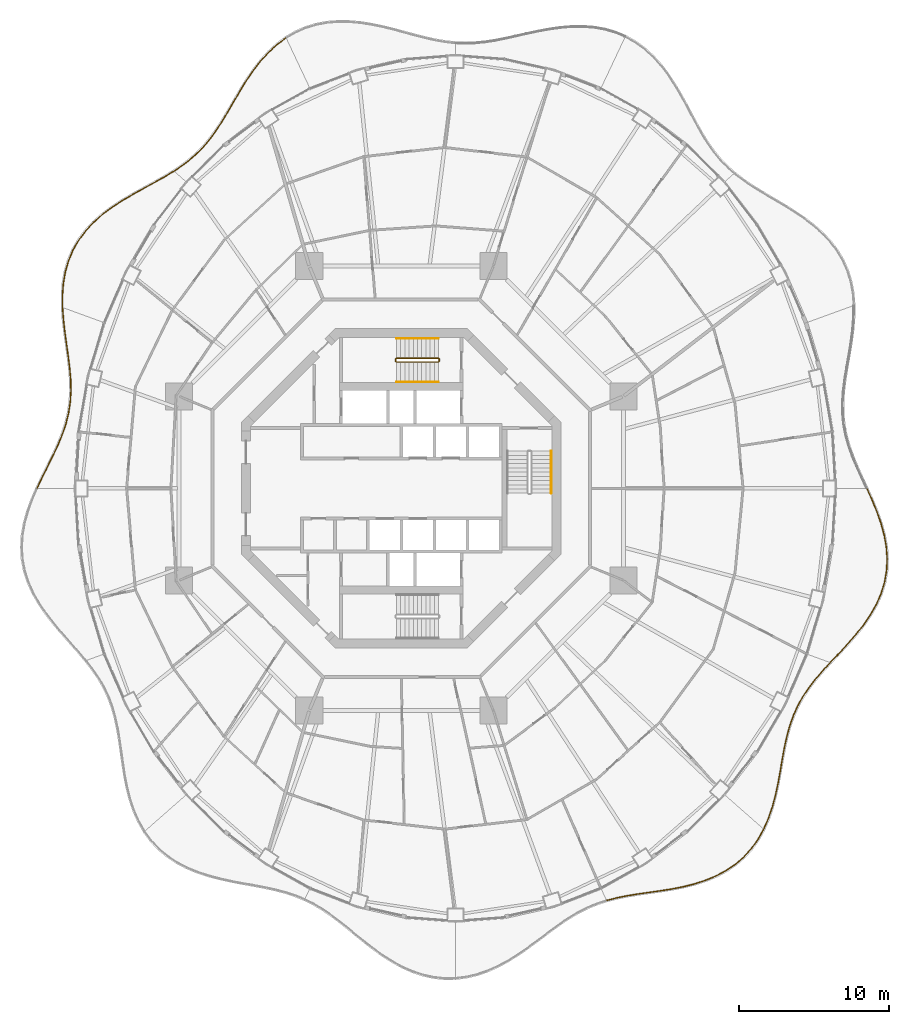
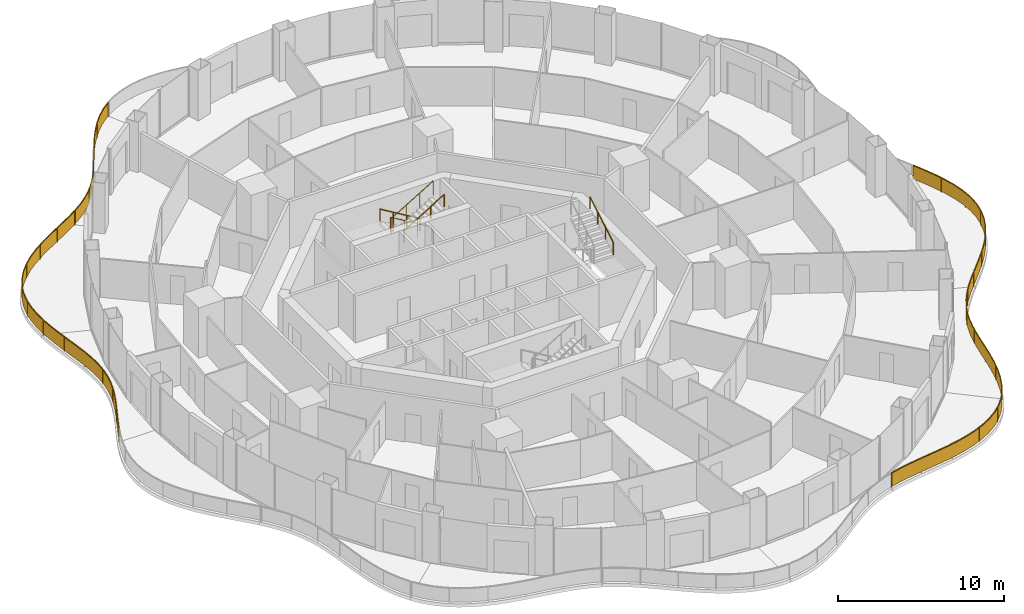
# One storey, part 18 of 19: 10 railings.
"""IFC4 building model written with IfcOpenShell, lengths in metres."""

from ifc_helpers import new_model, si_unit, direction, frame, origin, origin_2d, place, context, subcontext, project, spatial, polyline, rectangle, circle, outline, extrude, material, type_object, element, save


model = new_model("IFC4")

# Units and contexts
model_context = context("Model", 3, precision=1e-05, world=origin(), true_north=direction((0.0, 1.0)))
body_context = subcontext(model_context, "Body", "Model", "MODEL_VIEW")
ifc_project = project(units=[si_unit("LENGTHUNIT", "METRE"), si_unit("AREAUNIT", "SQUARE_METRE"), si_unit("VOLUMEUNIT", "CUBIC_METRE"), si_unit("PLANEANGLEUNIT", "RADIAN"), si_unit("MASSUNIT", "GRAM", prefix="KILO")], contexts=[model_context])

# Site, building, storey
site_placement = place(None, origin())
site = spatial("IfcSite", under=ifc_project, at=site_placement, CompositionType="ELEMENT")
building_placement = place(site_placement, origin())
building = spatial("IfcBuilding", under=site, at=building_placement, Name="Nagisa Residences", CompositionType="ELEMENT")
storey_placement = place(building_placement, frame((0.0, 0.0, 199.199951171875)))
storey = spatial("IfcBuildingStorey", under=building, at=storey_placement, Name="L50", CompositionType="ELEMENT", Elevation=199.199951171875)

# Railings
ifc_material_1 = material(Name="Stainless steel 316", Category="steel")
railing_type_1 = type_object("IfcRailingType", Name="BALCONY GUARD 1100", PredefinedType="BALUSTRADE", material=ifc_material_1)
railing_1_placement = place(storey_placement, frame((-7.69482421875, 29.948974609375, 0.0)))
element("IfcRailing", 1, at=railing_1_placement, inside=storey, type_object=railing_type_1, Name="guard:L50:bal05-0", PredefinedType="BALUSTRADE", context=body_context, shape_type="SweptSolid", body=[
    extrude(outline(polyline([(-0.559326171875, -0.4482421875), (0.014892578125, -0.02001953125), (-0.014892578125, 0.02001953125), (-0.591064453125, -0.40966796875), (-1.162109375, -0.93359375), (-1.688232421875, -1.5126953125), (-2.171875, -2.13427734375), (-2.618408203125, -2.78466796875), (-3.020263671875, -3.44091796875), (-3.413330078125, -4.107421875), (-3.7939453125, -4.762939453125), (-4.171875, -5.396728515625), (-4.557373046875, -6.00048828125), (-4.947998046875, -6.557373046875), (-5.3759765625, -7.085205078125), (-5.836669921875, -7.573486328125), (-6.334228515625, -8.0234375), (-6.87109375, -8.4404296875), (-7.411376953125, -8.8056640625), (-7.383544921875, -8.84716796875), (-6.841796875, -8.48095703125), (-6.302001953125, -8.06201171875), (-5.801513671875, -7.609130859375), (-5.33837890625, -7.118408203125), (-4.907958984375, -6.587646484375), (-4.515869140625, -6.0283203125), (-4.12939453125, -5.423095703125), (-3.7509765625, -4.788330078125), (-3.370361328125, -4.1328125), (-2.977294921875, -3.466796875), (-2.576416015625, -2.81201171875), (-2.13134765625, -2.1640625), (-1.649658203125, -1.544921875), (-1.12646484375, -0.96875), (-0.559326171875, -0.4482421875)])), frame((0.0, 0.0, 1.050048828125)), (0.0, 0.0, 1.0), 0.050048828125),
    extrude(outline(polyline([(-0.57080078125, -0.434326171875), (0.004150390625, -0.005615234375), (-0.004150390625, 0.005615234375), (-0.57958984375, -0.423583984375), (-1.149169921875, -0.9462890625), (-1.67431640625, -1.5244140625), (-2.1572265625, -2.14501953125), (-2.603271484375, -2.79443359375), (-3.0048828125, -3.4501953125), (-3.39794921875, -4.11669921875), (-3.778564453125, -4.77197265625), (-4.156494140625, -5.40625), (-4.54248046875, -6.010498046875), (-4.93359375, -6.568359375), (-5.362548828125, -7.09716796875), (-5.823974609375, -7.586181640625), (-6.322509765625, -8.037353515625), (-6.860595703125, -8.455078125), (-7.4013671875, -8.820556640625), (-7.3935546875, -8.832275390625), (-6.852294921875, -8.46630859375), (-6.313720703125, -8.048095703125), (-5.814208984375, -7.596435546875), (-5.351806640625, -7.1064453125), (-4.92236328125, -6.57666015625), (-4.53076171875, -6.018310546875), (-4.144775390625, -5.41357421875), (-3.766357421875, -4.779296875), (-3.3857421875, -4.12353515625), (-2.99267578125, -3.45751953125), (-2.591552734375, -2.80224609375), (-2.14599609375, -2.1533203125), (-1.66357421875, -1.533203125), (-1.139404296875, -0.9560546875), (-0.57080078125, -0.434326171875)])), frame((0.0, 0.0, 0.06005859375)), (0.0, 0.0, 1.0), 0.989990234375),
    extrude(rectangle(XDim=0.0400390625, YDim=0.0400390625, at=origin_2d()), origin(), (0.0, 0.0, 1.0), 1.050048828125),
    extrude(rectangle(XDim=0.0400390625, YDim=0.0400390625, at=origin_2d()), frame((-1.704833984375, -1.574951171875, 0.0)), (0.0, 0.0, 1.0), 1.050048828125),
    extrude(rectangle(XDim=0.0400390625, YDim=0.0400390625, at=origin_2d()), frame((-3.021484375, -3.492431640625, 0.0)), (0.0, 0.0, 1.0), 1.050048828125),
    extrude(rectangle(XDim=0.0400390625, YDim=0.0400390625, at=origin_2d()), frame((-4.206298828125, -5.4970703125, 0.0)), (0.0, 0.0, 1.0), 1.050048828125),
    extrude(rectangle(XDim=0.0400390625, YDim=0.0400390625, at=origin_2d()), frame((-5.5986328125, -7.357666015625, 0.0)), (0.0, 0.0, 1.0), 1.050048828125),
    extrude(rectangle(XDim=0.0400390625, YDim=0.0400390625, at=origin_2d()), frame((-7.3974609375, -8.826416015625, 0.0)), (0.0, 0.0, 1.0), 1.050048828125),
])
railing_2_placement = place(storey_placement, frame((-15.154541015625, 21.08544921875, 0.0)))
element("IfcRailing", 2, at=railing_2_placement, inside=storey, type_object=railing_type_1, Name="guard:L50:bal06-0", PredefinedType="BALUSTRADE", context=body_context, shape_type="SweptSolid", body=[
    extrude(outline(polyline([(-0.59375, -0.387939453125), (0.012939453125, -0.021484375), (-0.012939453125, 0.021484375), (-0.619140625, -0.344482421875), (-1.2939453125, -0.723388671875), (-1.99072265625, -1.103515625), (-2.69775390625, -1.49609375), (-3.400634765625, -1.9111328125), (-4.075927734375, -2.345703125), (-4.725341796875, -2.83203125), (-5.32568359375, -3.362548828125), (-5.864013671875, -3.940673828125), (-6.32958984375, -4.566650390625), (-6.7080078125, -5.224609375), (-7.00830078125, -5.93701171875), (-7.223388671875, -6.684814453125), (-7.35693359375, -7.46044921875), (-7.41552734375, -8.255859375), (-7.408203125, -9.0166015625), (-7.3583984375, -9.01611328125), (-7.365234375, -8.25732421875), (-7.30712890625, -7.46630859375), (-7.174560546875, -6.696044921875), (-6.9609375, -5.95361328125), (-6.6630859375, -5.2470703125), (-6.28759765625, -4.593994140625), (-5.825439453125, -3.972900390625), (-5.29052734375, -3.398681640625), (-4.693603515625, -2.87109375), (-4.047119140625, -2.38671875), (-3.374267578125, -1.95361328125), (-2.6728515625, -1.53955078125), (-1.966796875, -1.1474609375), (-1.26953125, -0.767333984375), (-0.59375, -0.387939453125)])), frame((0.0, 0.0, 1.050048828125)), (0.0, 0.0, 1.0), 0.050048828125),
    extrude(outline(polyline([(-0.60302734375, -0.372314453125), (0.003662109375, -0.006103515625), (-0.003662109375, 0.006103515625), (-0.60986328125, -0.360107421875), (-1.28515625, -0.7392578125), (-1.982177734375, -1.119384765625), (-2.688720703125, -1.51171875), (-3.39111328125, -1.926513671875), (-4.0654296875, -2.3603515625), (-4.7138671875, -2.84619140625), (-5.31298828125, -3.37548828125), (-5.85009765625, -3.952392578125), (-6.314453125, -4.576416015625), (-6.69189453125, -5.232666015625), (-6.9912109375, -5.94287109375), (-7.205810546875, -6.68896484375), (-7.3388671875, -7.462646484375), (-7.3974609375, -8.25634765625), (-7.390380859375, -9.016357421875), (-7.376220703125, -9.016357421875), (-7.38330078125, -8.2568359375), (-7.3251953125, -7.464111328125), (-7.192138671875, -6.69189453125), (-6.97802734375, -5.94775390625), (-6.67919921875, -5.239013671875), (-6.302734375, -4.584228515625), (-5.83935546875, -3.961181640625), (-5.30322265625, -3.3857421875), (-4.705078125, -2.85693359375), (-4.0576171875, -2.3720703125), (-3.3837890625, -1.938232421875), (-2.681884765625, -1.52392578125), (-1.975341796875, -1.131591796875), (-1.2783203125, -0.75146484375), (-0.60302734375, -0.372314453125)])), frame((0.0, 0.0, 0.06005859375)), (0.0, 0.0, 1.0), 0.989990234375),
    extrude(rectangle(XDim=0.0400390625, YDim=0.0400390625, at=origin_2d()), origin(), (0.0, 0.0, 1.0), 1.050048828125),
    extrude(rectangle(XDim=0.0400390625, YDim=0.0400390625, at=origin_2d()), frame((-1.811279296875, -1.0341796875, 0.0)), (0.0, 0.0, 1.0), 1.050048828125),
    extrude(rectangle(XDim=0.0400390625, YDim=0.0400390625, at=origin_2d()), frame((-3.61572265625, -2.079345703125, 0.0)), (0.0, 0.0, 1.0), 1.050048828125),
    extrude(rectangle(XDim=0.0400390625, YDim=0.0400390625, at=origin_2d()), frame((-5.268798828125, -3.345947265625, 0.0)), (0.0, 0.0, 1.0), 1.050048828125),
    extrude(rectangle(XDim=0.0400390625, YDim=0.0400390625, at=origin_2d()), frame((-6.54248046875, -4.98681640625, 0.0)), (0.0, 0.0, 1.0), 1.050048828125),
    extrude(rectangle(XDim=0.0400390625, YDim=0.0400390625, at=origin_2d()), frame((-7.241943359375, -6.940185546875, 0.0)), (0.0, 0.0, 1.0), 1.050048828125),
    extrude(rectangle(XDim=0.0400390625, YDim=0.0400390625, at=origin_2d()), frame((-7.38330078125, -9.016357421875, 0.0)), (0.0, 0.0, 1.0), 1.050048828125),
])
railing_3_placement = place(storey_placement, frame((-22.533935546875, 11.991943359375, 0.0)))
element("IfcRailing", 3, at=railing_3_placement, inside=storey, type_object=railing_type_1, Name="guard:L50:bal07-0", PredefinedType="BALUSTRADE", context=body_context, shape_type="SweptSolid", body=[
    extrude(outline(polyline([(0.082275390625, -0.786865234375), (0.02490234375, 0.001708984375), (-0.02490234375, -0.001708984375), (0.032470703125, -0.791748046875), (0.127685546875, -1.623046875), (0.241455078125, -2.443359375), (0.35498046875, -3.247314453125), (0.450439453125, -4.031982421875), (0.514892578125, -4.781982421875), (0.52783203125, -5.52587890625), (0.483642578125, -6.252197265625), (0.3759765625, -6.965087890625), (0.203369140625, -7.669677734375), (-0.02880859375, -8.35791015625), (-0.316650390625, -9.062255859375), (-0.646728515625, -9.7744140625), (-1.004150390625, -10.49755859375), (-1.37109375, -11.2353515625), (-1.7109375, -11.94677734375), (-1.666015625, -11.96826171875), (-1.326171875, -11.25732421875), (-0.959228515625, -10.52001953125), (-0.601806640625, -9.7958984375), (-0.270751953125, -9.082275390625), (0.01806640625, -8.37548828125), (0.251708984375, -7.683837890625), (0.42529296875, -6.974853515625), (0.533447265625, -6.257568359375), (0.578125, -5.52685546875), (0.564697265625, -4.779541015625), (0.500244140625, -4.026611328125), (0.40478515625, -3.240966796875), (0.291259765625, -2.4365234375), (0.177490234375, -1.61669921875), (0.082275390625, -0.786865234375)])), frame((0.0, 0.0, 1.050048828125)), (0.0, 0.0, 1.0), 0.050048828125),
    extrude(outline(polyline([(0.064453125, -0.78857421875), (0.007080078125, 0.00048828125), (-0.007080078125, -0.00048828125), (0.05029296875, -0.7900390625), (0.145751953125, -1.620849609375), (0.259521484375, -2.44091796875), (0.373046875, -3.2451171875), (0.46826171875, -4.030029296875), (0.53271484375, -4.781005859375), (0.5458984375, -5.526123046875), (0.50146484375, -6.254150390625), (0.393798828125, -6.968505859375), (0.220703125, -7.6748046875), (-0.011962890625, -8.3642578125), (-0.300048828125, -9.069580078125), (-0.630615234375, -9.7822265625), (-0.988037109375, -10.505615234375), (-1.35498046875, -11.2431640625), (-1.69482421875, -11.95458984375), (-1.68212890625, -11.96044921875), (-1.34228515625, -11.24951171875), (-0.975341796875, -10.511962890625), (-0.617919921875, -9.7880859375), (-0.287353515625, -9.074951171875), (0.001220703125, -8.369140625), (0.234375, -7.6787109375), (0.407470703125, -6.971435546875), (0.515625, -6.255615234375), (0.56005859375, -5.526611328125), (0.546875, -4.780517578125), (0.482421875, -4.028564453125), (0.38671875, -3.2431640625), (0.273193359375, -2.43896484375), (0.159423828125, -1.618896484375), (0.064453125, -0.78857421875)])), frame((0.0, 0.0, 0.06005859375)), (0.0, 0.0, 1.0), 0.989990234375),
    extrude(rectangle(XDim=0.0400390625, YDim=0.0400390625, at=origin_2d()), origin(), (0.0, 0.0, 1.0), 1.050048828125),
    extrude(rectangle(XDim=0.0400390625, YDim=0.0400390625, at=origin_2d()), frame((0.213623046875, -2.060546875, 0.0)), (0.0, 0.0, 1.0), 1.050048828125),
    extrude(rectangle(XDim=0.0400390625, YDim=0.0400390625, at=origin_2d()), frame((0.482666015625, -4.115234375, 0.0)), (0.0, 0.0, 1.0), 1.050048828125),
    extrude(rectangle(XDim=0.0400390625, YDim=0.0400390625, at=origin_2d()), frame((0.512939453125, -6.18408203125, 0.0)), (0.0, 0.0, 1.0), 1.050048828125),
    extrude(rectangle(XDim=0.0400390625, YDim=0.0400390625, at=origin_2d()), frame((0.051513671875, -8.1982421875, 0.0)), (0.0, 0.0, 1.0), 1.050048828125),
    extrude(rectangle(XDim=0.0400390625, YDim=0.0400390625, at=origin_2d()), frame((-0.77783203125, -10.095947265625, 0.0)), (0.0, 0.0, 1.0), 1.050048828125),
    extrude(rectangle(XDim=0.0400390625, YDim=0.0400390625, at=origin_2d()), frame((-1.6884765625, -11.95751953125, 0.0)), (0.0, 0.0, 1.0), 1.050048828125),
])
railing_4_placement = place(storey_placement, frame((13.693359375, -27.408447265625, 0.0)))
element("IfcRailing", 4, at=railing_4_placement, inside=storey, type_object=railing_type_1, Name="guard:L50:bal13-0", PredefinedType="BALUSTRADE", context=body_context, shape_type="SweptSolid", body=[
    extrude(outline(polyline([(0.623779296875, 0.18408203125), (-0.006103515625, 0.024169921875), (0.006103515625, -0.024169921875), (0.635009765625, 0.13525390625), (1.331298828125, 0.274169921875), (2.053466796875, 0.3916015625), (2.798095703125, 0.498779296875), (3.559326171875, 0.608642578125), (4.31640625, 0.725341796875), (5.08837890625, 0.87939453125), (5.850341796875, 1.073486328125), (6.59228515625, 1.317138671875), (7.302978515625, 1.6181640625), (7.9609375, 1.9716796875), (8.580322265625, 2.40087890625), (9.142578125, 2.89501953125), (9.642578125, 3.451416015625), (10.077392578125, 4.064208984375), (10.423095703125, 4.685791015625), (10.379150390625, 4.710205078125), (10.034912109375, 4.091064453125), (9.603515625, 3.482666015625), (9.107421875, 2.9306640625), (8.549560546875, 2.4404296875), (7.9345703125, 2.0146484375), (7.281494140625, 1.66357421875), (6.57470703125, 1.364013671875), (5.836181640625, 1.121337890625), (5.0771484375, 0.92822265625), (4.3076171875, 0.774658203125), (3.552001953125, 0.657958984375), (2.790771484375, 0.548095703125), (2.045654296875, 0.44091796875), (1.322509765625, 0.323486328125), (0.623779296875, 0.18408203125)])), frame((0.0, 0.0, 1.050048828125)), (0.0, 0.0, 1.0), 0.050048828125),
    extrude(outline(polyline([(0.6279296875, 0.16650390625), (-0.001708984375, 0.0068359375), (0.001708984375, -0.0068359375), (0.630859375, 0.15283203125), (1.328125, 0.2919921875), (2.050537109375, 0.409423828125), (2.79541015625, 0.5166015625), (3.556640625, 0.62646484375), (4.313232421875, 0.7431640625), (5.084228515625, 0.89697265625), (5.84521484375, 1.090576171875), (6.5859375, 1.333984375), (7.295166015625, 1.634521484375), (7.951416015625, 1.9873046875), (8.5693359375, 2.4150390625), (9.1298828125, 2.907958984375), (9.62841796875, 3.462646484375), (10.06201171875, 4.073974609375), (10.4072265625, 4.694580078125), (10.39501953125, 4.701416015625), (10.05029296875, 4.081298828125), (9.61767578125, 3.471435546875), (9.1201171875, 2.917724609375), (8.560546875, 2.42626953125), (7.944091796875, 1.9990234375), (7.289306640625, 1.647216796875), (6.5810546875, 1.34716796875), (5.84130859375, 1.104248046875), (5.081298828125, 0.91064453125), (4.310791015625, 0.7568359375), (3.5546875, 0.64013671875), (2.79345703125, 0.5302734375), (2.048583984375, 0.423095703125), (1.32568359375, 0.3056640625), (0.6279296875, 0.16650390625)])), frame((0.0, 0.0, 0.06005859375)), (0.0, 0.0, 1.0), 0.989990234375),
    extrude(rectangle(XDim=0.0400390625, YDim=0.0400390625, at=origin_2d()), origin(), (0.0, 0.0, 1.0), 1.050048828125),
    extrude(rectangle(XDim=0.0400390625, YDim=0.0400390625, at=origin_2d()), frame((2.342529296875, 0.45849609375, 0.0)), (0.0, 0.0, 1.0), 1.050048828125),
    extrude(rectangle(XDim=0.0400390625, YDim=0.0400390625, at=origin_2d()), frame((4.701904296875, 0.827880859375, 0.0)), (0.0, 0.0, 1.0), 1.050048828125),
    extrude(rectangle(XDim=0.0400390625, YDim=0.0400390625, at=origin_2d()), frame((6.9853515625, 1.5107421875, 0.0)), (0.0, 0.0, 1.0), 1.050048828125),
    extrude(rectangle(XDim=0.0400390625, YDim=0.0400390625, at=origin_2d()), frame((8.98583984375, 2.79052734375, 0.0)), (0.0, 0.0, 1.0), 1.050048828125),
    extrude(rectangle(XDim=0.0400390625, YDim=0.0400390625, at=origin_2d()), frame((10.401123046875, 4.697998046875, 0.0)), (0.0, 0.0, 1.0), 1.050048828125),
])
railing_5_placement = place(storey_placement, frame((24.128173828125, -22.640869140625, 0.0)))
element("IfcRailing", 5, at=railing_5_placement, inside=storey, type_object=railing_type_1, Name="guard:L50:bal14-0", PredefinedType="BALUSTRADE", context=body_context, shape_type="SweptSolid", body=[
    extrude(outline(polyline([(0.27783203125, 0.703369140625), (-0.02294921875, 0.010009765625), (0.02294921875, -0.010009765625), (0.32470703125, 0.685302734375), (0.5859375, 1.45556640625), (0.796142578125, 2.24658203125), (0.967529296875, 3.0458984375), (1.113525390625, 3.842041015625), (1.240966796875, 4.61279296875), (1.3818359375, 5.37451171875), (1.5419921875, 6.109130859375), (1.734130859375, 6.812744140625), (1.968505859375, 7.484375), (2.24658203125, 8.1123046875), (2.585205078125, 8.726806640625), (2.978271484375, 9.3193359375), (3.422607421875, 9.896728515625), (3.911376953125, 10.46630859375), (4.40478515625, 11.001953125), (4.3681640625, 11.03564453125), (3.873779296875, 10.49951171875), (3.383544921875, 9.928466796875), (2.937744140625, 9.3486328125), (2.542236328125, 8.752685546875), (2.20166015625, 8.134765625), (1.922119140625, 7.5029296875), (1.686279296875, 6.827392578125), (1.4931640625, 6.120849609375), (1.3330078125, 5.38427734375), (1.191650390625, 4.62158203125), (1.064208984375, 3.850830078125), (0.918212890625, 3.0556640625), (0.747314453125, 2.25830078125), (0.5380859375, 1.47021484375), (0.27783203125, 0.703369140625)])), frame((0.0, 0.0, 1.050048828125)), (0.0, 0.0, 1.0), 0.050048828125),
    extrude(outline(polyline([(0.294677734375, 0.69677734375), (-0.00634765625, 0.002685546875), (0.00634765625, -0.002685546875), (0.307861328125, 0.69189453125), (0.568603515625, 1.4609375), (0.778564453125, 2.250732421875), (0.94970703125, 3.04931640625), (1.095703125, 3.84521484375), (1.22314453125, 4.615966796875), (1.3642578125, 5.3779296875), (1.5244140625, 6.11328125), (1.716796875, 6.81787109375), (1.951904296875, 7.490966796875), (2.23046875, 8.120361328125), (2.56982421875, 8.736083984375), (2.963623046875, 9.329833984375), (3.408447265625, 9.908203125), (3.897705078125, 10.478271484375), (4.3916015625, 11.01416015625), (4.38134765625, 11.0234375), (3.887451171875, 10.487548828125), (3.397705078125, 9.9169921875), (2.952392578125, 9.338134765625), (2.5576171875, 8.743408203125), (2.2177734375, 8.126708984375), (1.938720703125, 7.496337890625), (1.70361328125, 6.822265625), (1.5107421875, 6.11669921875), (1.3505859375, 5.380859375), (1.20947265625, 4.618408203125), (1.08203125, 3.84765625), (0.93603515625, 3.05224609375), (0.764892578125, 2.254150390625), (0.555419921875, 1.46484375), (0.294677734375, 0.69677734375)])), frame((0.0, 0.0, 0.06005859375)), (0.0, 0.0, 1.0), 0.989990234375),
    extrude(rectangle(XDim=0.0400390625, YDim=0.0400390625, at=origin_2d()), origin(), (0.0, 0.0, 1.0), 1.050048828125),
    extrude(rectangle(XDim=0.0400390625, YDim=0.0400390625, at=origin_2d()), frame((0.67626953125, 1.892822265625, 0.0)), (0.0, 0.0, 1.0), 1.050048828125),
    extrude(rectangle(XDim=0.0400390625, YDim=0.0400390625, at=origin_2d()), frame((1.091552734375, 3.862060546875, 0.0)), (0.0, 0.0, 1.0), 1.050048828125),
    extrude(rectangle(XDim=0.0400390625, YDim=0.0400390625, at=origin_2d()), frame((1.4580078125, 5.841552734375, 0.0)), (0.0, 0.0, 1.0), 1.050048828125),
    extrude(rectangle(XDim=0.0400390625, YDim=0.0400390625, at=origin_2d()), frame((2.062255859375, 7.758056640625, 0.0)), (0.0, 0.0, 1.0), 1.050048828125),
    extrude(rectangle(XDim=0.0400390625, YDim=0.0400390625, at=origin_2d()), frame((3.078125, 9.489990234375, 0.0)), (0.0, 0.0, 1.0), 1.050048828125),
    extrude(rectangle(XDim=0.0400390625, YDim=0.0400390625, at=origin_2d()), frame((4.386474609375, 11.018798828125, 0.0)), (0.0, 0.0, 1.0), 1.050048828125),
])
railing_6_placement = place(storey_placement, frame((28.5673828125, -11.568359375, 0.0)))
element("IfcRailing", 6, at=railing_6_placement, inside=storey, type_object=railing_type_1, Name="guard:L50:bal15-0", PredefinedType="BALUSTRADE", context=body_context, shape_type="SweptSolid", body=[
    extrude(outline(polyline([(0.51318359375, 0.578369140625), (-0.01806640625, 0.01708984375), (0.01806640625, -0.01708984375), (0.5498046875, 0.544189453125), (1.114990234375, 1.153564453125), (1.6669921875, 1.78369140625), (2.186279296875, 2.438720703125), (2.655517578125, 3.12109375), (3.054931640625, 3.818359375), (3.376953125, 4.555419921875), (3.60888671875, 5.316162109375), (3.744140625, 6.095703125), (3.781982421875, 6.887939453125), (3.723876953125, 7.673828125), (3.580810546875, 8.473876953125), (3.363037109375, 9.269287109375), (3.086181640625, 10.054931640625), (2.767333984375, 10.827880859375), (2.442138671875, 11.544189453125), (2.396728515625, 11.523681640625), (2.721435546875, 10.807861328125), (3.039306640625, 10.036865234375), (3.315185546875, 9.254150390625), (3.531982421875, 8.462646484375), (3.674072265625, 7.66748046875), (3.731689453125, 6.887451171875), (3.6943359375, 6.10107421875), (3.56005859375, 5.327880859375), (3.330078125, 4.572998046875), (3.010009765625, 3.8408203125), (2.613037109375, 3.14794921875), (2.146240234375, 2.468505859375), (1.62841796875, 1.81591796875), (1.077880859375, 1.187255859375), (0.51318359375, 0.578369140625)])), frame((0.0, 0.0, 1.050048828125)), (0.0, 0.0, 1.0), 0.050048828125),
    extrude(outline(polyline([(0.5263671875, 0.566162109375), (-0.005126953125, 0.0048828125), (0.005126953125, -0.0048828125), (0.53662109375, 0.556396484375), (1.1015625, 1.165771484375), (1.653076171875, 1.79541015625), (2.171875, 2.449462890625), (2.64013671875, 3.130859375), (3.038818359375, 3.826416015625), (3.360107421875, 4.561767578125), (3.59130859375, 5.3203125), (3.726318359375, 6.09765625), (3.763916015625, 6.8876953125), (3.705810546875, 7.671630859375), (3.563232421875, 8.4697265625), (3.345703125, 9.263916015625), (3.0693359375, 10.04833984375), (2.750732421875, 10.820556640625), (2.42578125, 11.536865234375), (2.4130859375, 11.531005859375), (2.738037109375, 10.815185546875), (3.05615234375, 10.04345703125), (3.33251953125, 9.259521484375), (3.549560546875, 8.466796875), (3.692138671875, 7.669677734375), (3.749755859375, 6.8876953125), (3.712158203125, 6.09912109375), (3.57763671875, 5.32373046875), (3.346923828125, 4.566650390625), (3.026123046875, 3.832763671875), (2.62841796875, 3.13818359375), (2.16064453125, 2.457763671875), (1.642333984375, 1.80419921875), (1.09130859375, 1.175048828125), (0.5263671875, 0.566162109375)])), frame((0.0, 0.0, 0.06005859375)), (0.0, 0.0, 1.0), 0.989990234375),
    extrude(rectangle(XDim=0.0400390625, YDim=0.0400390625, at=origin_2d()), origin(), (0.0, 0.0, 1.0), 1.050048828125),
    extrude(rectangle(XDim=0.0400390625, YDim=0.0400390625, at=origin_2d()), frame((1.461181640625, 1.5869140625, 0.0)), (0.0, 0.0, 1.0), 1.050048828125),
    extrude(rectangle(XDim=0.0400390625, YDim=0.0400390625, at=origin_2d()), frame((2.740478515625, 3.320068359375, 0.0)), (0.0, 0.0, 1.0), 1.050048828125),
    extrude(rectangle(XDim=0.0400390625, YDim=0.0400390625, at=origin_2d()), frame((3.57763671875, 5.299560546875, 0.0)), (0.0, 0.0, 1.0), 1.050048828125),
    extrude(rectangle(XDim=0.0400390625, YDim=0.0400390625, at=origin_2d()), frame((3.7158203125, 7.44189453125, 0.0)), (0.0, 0.0, 1.0), 1.050048828125),
    extrude(rectangle(XDim=0.0400390625, YDim=0.0400390625, at=origin_2d()), frame((3.240966796875, 9.540283203125, 0.0)), (0.0, 0.0, 1.0), 1.050048828125),
    extrude(rectangle(XDim=0.0400390625, YDim=0.0400390625, at=origin_2d()), frame((2.41943359375, 11.533935546875, 0.0)), (0.0, 0.0, 1.0), 1.050048828125),
])
ifc_material_2 = material(Name="Stainless steel", Category="steel")
railing_type_2 = type_object("IfcRailingType", Name="Stair guard 1100", PredefinedType="GUARDRAIL", material=ifc_material_2)
railing_7_placement = place(storey_placement, frame((2.52490234375, 8.44970703125, 0.0)))
element("IfcRailing", 7, at=railing_7_placement, inside=storey, type_object=railing_type_2, Name="L50 ST-N stair guard 1", PredefinedType="GUARDRAIL", context=body_context, shape_type="SweptSolid", body=[
    extrude(circle(Radius=0.02392578125, at=origin_2d()), frame((0.0, 0.0, 1.076171875), z_axis=(0.0, 1.0, 0.0), x_axis=(-1.0, 0.0, 0.0)), (0.0, 0.0, 1.0), 0.14990234375),
    extrude(circle(Radius=0.02392578125, at=origin_2d()), frame((0.0, 0.14990234375, 1.076171875), z_axis=(-0.273006030465, 0.27434429532, 0.922064485248), x_axis=(-0.708833529934, -0.705375805398, 0.0)), (0.0, 0.0, 1.0), 0.182373046875),
    extrude(circle(Radius=0.02392578125, at=origin_2d()), frame((-0.0498046875, 0.199951171875, 1.244140625), z_axis=(-0.857242210791, 0.0, 0.514913383045), x_axis=(0.0, -1.0, 0.0)), (0.0, 0.0, 1.0), 3.266357421875),
    extrude(circle(Radius=0.02392578125, at=origin_2d()), frame((-2.849853515625, 0.199951171875, 2.92626953125), z_axis=(-0.707106781187, -0.707106781187, 0.0), x_axis=(0.707106781187, -0.707106781187, 0.0)), (0.0, 0.0, 1.0), 0.07080078125),
    extrude(circle(Radius=0.02392578125, at=origin_2d()), frame((-2.89990234375, 0.14990234375, 2.92626953125), z_axis=(0.0, -1.0, 0.0), x_axis=(1.0, 0.0, 0.0)), (0.0, 0.0, 1.0), 0.14990234375),
    extrude(circle(Radius=0.02392578125, at=origin_2d()), frame((-2.89990234375, 0.0, 2.92626953125), z_axis=(0.274243871929, -0.274243871929, 0.92172696468), x_axis=(0.707106781187, 0.707106781187, 0.0)), (0.0, 0.0, 1.0), 0.1826171875),
    extrude(circle(Radius=0.02392578125, at=origin_2d()), frame((-2.849853515625, -0.050048828125, 3.09423828125), z_axis=(0.857275202839, 0.0, 0.514858452973), x_axis=(0.0, 1.0, 0.0)), (0.0, 0.0, 1.0), 3.26611328125),
    extrude(circle(Radius=0.02099609375, at=origin_2d()), origin(), (0.0, 0.0, 1.0), 1.052001953125),
    extrude(circle(Radius=0.02099609375, at=origin_2d()), frame((0.0, 0.14990234375, 0.0)), (0.0, 0.0, 1.0), 1.052001953125),
    extrude(circle(Radius=0.02099609375, at=origin_2d()), frame((-0.0498046875, 0.199951171875, 0.168212890625)), (0.0, 0.0, 1.0), 1.052001953125),
    extrude(circle(Radius=0.02099609375, at=origin_2d()), frame((-0.983154296875, 0.199951171875, 0.728759765625)), (0.0, 0.0, 1.0), 1.052001953125),
    extrude(circle(Radius=0.02099609375, at=origin_2d()), frame((-1.91650390625, 0.199951171875, 1.28955078125)), (0.0, 0.0, 1.0), 1.052001953125),
    extrude(circle(Radius=0.02099609375, at=origin_2d()), frame((-2.849853515625, 0.199951171875, 1.85009765625)), (0.0, 0.0, 1.0), 1.052001953125),
    extrude(circle(Radius=0.02099609375, at=origin_2d()), frame((-2.89990234375, 0.14990234375, 1.85009765625)), (0.0, 0.0, 1.0), 1.052001953125),
    extrude(circle(Radius=0.02099609375, at=origin_2d()), frame((-2.89990234375, 0.0, 1.85009765625)), (0.0, 0.0, 1.0), 1.052001953125),
    extrude(circle(Radius=0.02099609375, at=origin_2d()), frame((-2.849853515625, -0.050048828125, 2.018310546875)), (0.0, 0.0, 1.0), 1.052001953125),
    extrude(circle(Radius=0.02099609375, at=origin_2d()), frame((-1.91650390625, -0.050048828125, 2.578857421875)), (0.0, 0.0, 1.0), 1.052001953125),
    extrude(circle(Radius=0.02099609375, at=origin_2d()), frame((-0.983154296875, -0.050048828125, 3.139404296875)), (0.0, 0.0, 1.0), 1.052001953125),
    extrude(circle(Radius=0.02099609375, at=origin_2d()), frame((-0.0498046875, -0.050048828125, 3.699951171875)), (0.0, 0.0, 1.0), 1.052001953125),
])
ifc_material_3 = material(Name="Stainless steel", Category="steel")
railing_type_3 = type_object("IfcRailingType", Name="Stair handrail 900", PredefinedType="HANDRAIL", material=ifc_material_3)
railing_8_placement = place(storey_placement, frame((9.974609375, -0.324951171875, 2.018310546875)))
element("IfcRailing", 8, at=railing_8_placement, inside=storey, type_object=railing_type_3, Name="L50 ST-E stair handrail 2", PredefinedType="HANDRAIL", context=body_context, shape_type="SweptSolid", body=[
    extrude(circle(Radius=0.02392578125, at=origin_2d()), frame((0.0, 0.0, 0.8759765625), z_axis=(0.0, 0.857275202839, 0.514858452973), x_axis=(-1.0, 0.0, 0.0)), (0.0, 0.0, 1.0), 3.26611328125),
    extrude(circle(Radius=0.02099609375, at=origin_2d()), origin(), (0.0, 0.0, 1.0), 0.851806640625),
    extrude(circle(Radius=0.02099609375, at=origin_2d()), frame((0.0, 0.933349609375, 0.560546875)), (0.0, 0.0, 1.0), 0.851806640625),
    extrude(circle(Radius=0.02099609375, at=origin_2d()), frame((0.0, 1.86669921875, 1.12109375)), (0.0, 0.0, 1.0), 0.851806640625),
    extrude(circle(Radius=0.02099609375, at=origin_2d()), frame((0.0, 2.800048828125, 1.681640625)), (0.0, 0.0, 1.0), 0.851806640625),
])
railing_9_placement = place(storey_placement, frame((2.47509765625, 9.974609375, 0.168212890625)))
element("IfcRailing", 9, at=railing_9_placement, inside=storey, type_object=railing_type_3, Name="L50 ST-N stair handrail 1", PredefinedType="HANDRAIL", context=body_context, shape_type="SweptSolid", body=[
    extrude(circle(Radius=0.02392578125, at=origin_2d()), frame((0.0, 0.0, 0.8759765625), z_axis=(-0.857242210791, 0.0, 0.514913383045), x_axis=(0.0, -1.0, 0.0)), (0.0, 0.0, 1.0), 3.266357421875),
    extrude(circle(Radius=0.02099609375, at=origin_2d()), origin(), (0.0, 0.0, 1.0), 0.851806640625),
    extrude(circle(Radius=0.02099609375, at=origin_2d()), frame((-0.933349609375, 0.0, 0.560546875)), (0.0, 0.0, 1.0), 0.851806640625),
    extrude(circle(Radius=0.02099609375, at=origin_2d()), frame((-1.86669921875, 0.0, 1.121337890625)), (0.0, 0.0, 1.0), 0.851806640625),
    extrude(circle(Radius=0.02099609375, at=origin_2d()), frame((-2.800048828125, 0.0, 1.681884765625)), (0.0, 0.0, 1.0), 0.851806640625),
])
railing_10_placement = place(storey_placement, frame((-0.324951171875, 7.07470703125, 2.018310546875)))
element("IfcRailing", 10, at=railing_10_placement, inside=storey, type_object=railing_type_3, Name="L50 ST-N stair handrail 2", PredefinedType="HANDRAIL", context=body_context, shape_type="SweptSolid", body=[
    extrude(circle(Radius=0.02392578125, at=origin_2d()), frame((0.0, 0.0, 0.8759765625), z_axis=(0.857275202839, 0.0, 0.514858452973), x_axis=(0.0, 1.0, 0.0)), (0.0, 0.0, 1.0), 3.26611328125),
    extrude(circle(Radius=0.02099609375, at=origin_2d()), origin(), (0.0, 0.0, 1.0), 0.851806640625),
    extrude(circle(Radius=0.02099609375, at=origin_2d()), frame((0.933349609375, 0.0, 0.560546875)), (0.0, 0.0, 1.0), 0.851806640625),
    extrude(circle(Radius=0.02099609375, at=origin_2d()), frame((1.86669921875, 0.0, 1.12109375)), (0.0, 0.0, 1.0), 0.851806640625),
    extrude(circle(Radius=0.02099609375, at=origin_2d()), frame((2.800048828125, 0.0, 1.681640625)), (0.0, 0.0, 1.0), 0.851806640625),
])

save(model, "model.ifc")
